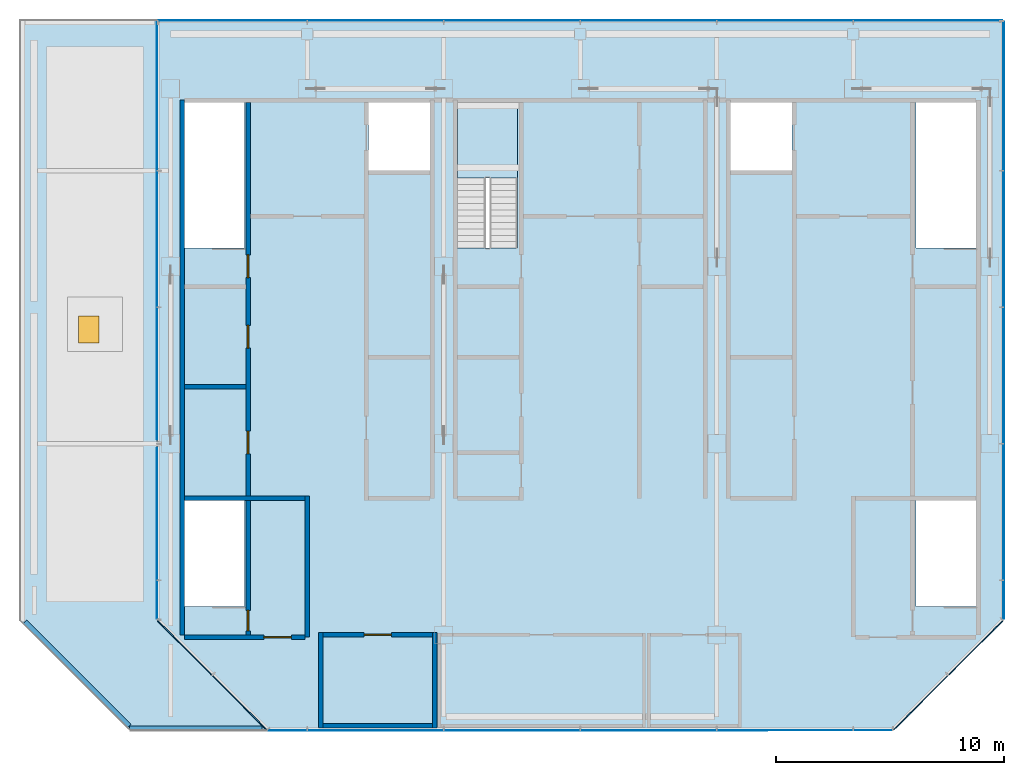
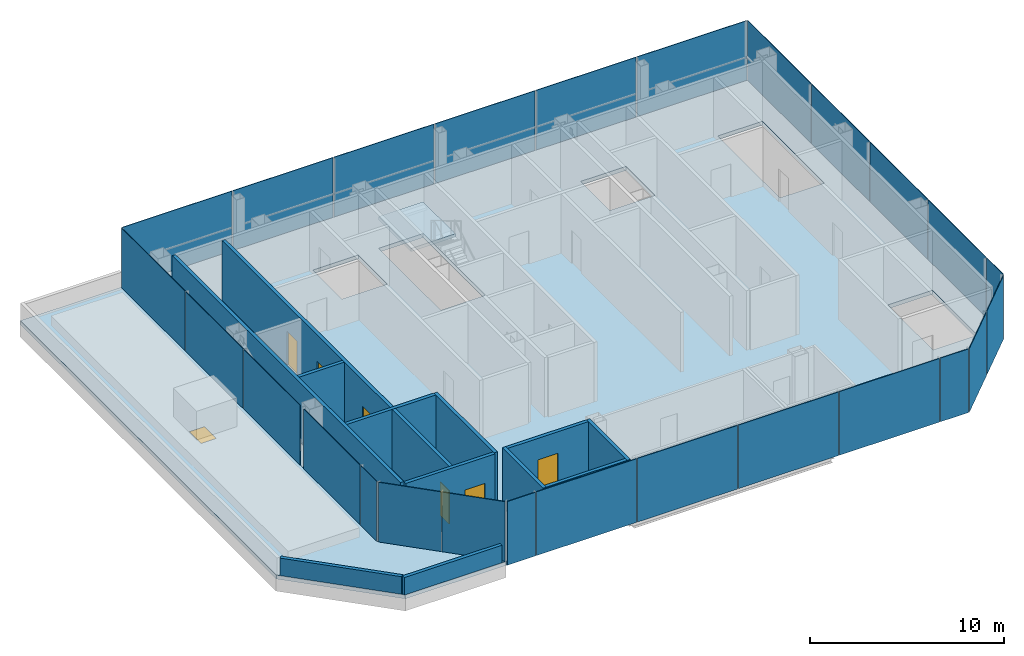
# One storey, part 8 of 12: 26 plates, 12 walls, 6 doors, 3 slabs, 1 window, 7 openings, 7 elements without a shape of their own.
"""IFC4 building model written with IfcOpenShell, lengths in metres."""

from ifc_helpers import new_model, si_unit, direction, frame, frame_2d, origin, origin_2d, place, context, subcontext, project, spatial, polyline, rectangle, outline, extrude, material, layer, layer_set, type_object, element, fill, aggregate, save


model = new_model("IFC4")

# Units and contexts
model_context = context("Model", 3, precision=1e-05, world=origin(), true_north=direction((0.0, 1.0)))
body_context = subcontext(model_context, "Body", "Model", "MODEL_VIEW")
ifc_project = project(units=[si_unit("LENGTHUNIT", "METRE"), si_unit("AREAUNIT", "SQUARE_METRE"), si_unit("VOLUMEUNIT", "CUBIC_METRE"), si_unit("PLANEANGLEUNIT", "RADIAN"), si_unit("MASSUNIT", "GRAM", prefix="KILO")], contexts=[model_context])

# Site, building, storey
site_placement = place(None, origin())
site = spatial("IfcSite", under=ifc_project, at=site_placement, CompositionType="ELEMENT")
building_placement = place(site_placement, origin())
building = spatial("IfcBuilding", under=site, at=building_placement, Name="Sorahane Residences", CompositionType="ELEMENT")
storey_placement = place(building_placement, frame((0.0, 0.0, 353.800048828125)))
storey = spatial("IfcBuildingStorey", under=building, at=storey_placement, Name="L84", CompositionType="ELEMENT", Elevation=353.800048828125)

# Slab
ifc_material_1 = material(Name="Concrete C35", Category="concrete")
ifc_layer_1 = layer(ifc_material_1, 0.25)
ifc_layer_set_1 = layer_set([ifc_layer_1], Name="Composite floor slab 250 mm Concrete C35")
slab_type_1 = type_object("IfcSlabType", Name="Composite floor slab 250 mm Concrete C35", PredefinedType="FLOOR", material=ifc_layer_set_1)
slab_1_placement = place(storey_placement, frame((0.0, 0.0, -0.25)))
element("IfcSlab", 1, at=slab_1_placement, inside=storey, type_object=slab_type_1, Name="Slab L84", PredefinedType="FLOOR", context=body_context, shape_type="SweptSolid", body=[
    extrude(outline(polyline([(10.25146484375, 17.39990234375), (5.39990234375, 22.25146484375), (5.39990234375, 48.60009765625), (42.60009765625, 48.60009765625), (42.60009765625, 22.25146484375), (37.74853515625, 17.39990234375), (10.25146484375, 17.39990234375)]), holes=[polyline([(30.60009765625, 42.0), (33.300048828125, 42.0), (33.300048828125, 45.0), (30.60009765625, 45.0), (30.60009765625, 42.0)]), polyline([(14.699951171875, 42.0), (17.39990234375, 42.0), (17.39990234375, 45.0), (14.699951171875, 45.0), (14.699951171875, 42.0)]), polyline([(9.25, 38.60009765625), (9.25, 45.0), (6.60009765625, 45.0), (6.60009765625, 38.60009765625), (9.25, 38.60009765625)]), polyline([(41.39990234375, 38.60009765625), (41.39990234375, 45.0), (38.75, 45.0), (38.75, 38.60009765625), (41.39990234375, 38.60009765625)]), polyline([(21.25, 38.60009765625), (21.25, 45.0), (18.60009765625, 45.0), (18.60009765625, 38.60009765625), (21.25, 38.60009765625)]), polyline([(9.25, 22.85009765625), (9.25, 27.5), (6.60009765625, 27.5), (6.60009765625, 22.85009765625), (9.25, 22.85009765625)]), polyline([(41.39990234375, 22.85009765625), (41.39990234375, 27.5), (38.75, 27.5), (38.75, 22.85009765625), (41.39990234375, 22.85009765625)])]), origin(), (0.0, 0.0, 1.0), 0.25),
])

# Curtain wall, plates
ifc_material_2 = material(Name="Dark low-e glass and black anodised aluminium", Category="aluminium")
curtain_wall_type = type_object("IfcCurtainWallType", Name="Curtain wall CW-6 Crown unitised wall", PredefinedType="NOTDEFINED", material=ifc_material_2)
curtain_wall_1_placement = place(storey_placement, origin())
curtain_wall_1 = element("IfcCurtainWall", 2, at=curtain_wall_1_placement, inside=storey, type_object=curtain_wall_type, Name="CW-6 curtain wall L84 S1", PredefinedType="NOTDEFINED")
ifc_material_3 = material(Name="Dark low-e glass with black ceramic frit", Category="glass")
ifc_layer_2 = layer(ifc_material_3, 0.0400390625)
ifc_layer_set_2 = layer_set([ifc_layer_2], Name="Curtain wall glass panel dark low-e crown with black frit spandrel band")
plate_type = type_object("IfcPlateType", Name="Curtain wall glass panel dark low-e crown with black frit spandrel band", PredefinedType="CURTAIN_PANEL", material=ifc_layer_set_2)
plate_1_placement = place(storey_placement, frame((11.13818359375, 17.39990234375, -0.25), z_axis=(0.0, 0.0, 1.0), x_axis=(1.0, 0.0, 0.0)))
plate_1 = element("IfcPlate", 3, at=plate_1_placement, type_object=plate_type, Name="CW-6 glass panel L84 S1.1", PredefinedType="CURTAIN_PANEL", context=body_context, shape_type="SweptSolid", body=[
    extrude(rectangle(XDim=1.673583984375, YDim=0.0400390625, at=origin_2d()), origin(), (0.0, 0.0, 1.0), 4.0),
])
plate_2_placement = place(storey_placement, frame((15.0, 17.39990234375, -0.25), z_axis=(0.0, 0.0, 1.0), x_axis=(1.0, 0.0, 0.0)))
plate_2 = element("IfcPlate", 4, at=plate_2_placement, type_object=plate_type, Name="CW-6 glass panel L84 S1.2", PredefinedType="CURTAIN_PANEL", context=body_context, shape_type="SweptSolid", body=[
    extrude(rectangle(XDim=5.949951171875, YDim=0.0400390625, at=origin_2d()), origin(), (0.0, 0.0, 1.0), 4.0),
])
plate_3_placement = place(storey_placement, frame((21.0, 17.39990234375, -0.25), z_axis=(0.0, 0.0, 1.0), x_axis=(1.0, 0.0, 0.0)))
plate_3 = element("IfcPlate", 5, at=plate_3_placement, type_object=plate_type, Name="CW-6 glass panel L84 S1.3", PredefinedType="CURTAIN_PANEL", context=body_context, shape_type="SweptSolid", body=[
    extrude(rectangle(XDim=5.949951171875, YDim=0.0400390625, at=origin_2d()), origin(), (0.0, 0.0, 1.0), 4.0),
])
plate_4_placement = place(storey_placement, frame((27.0, 17.39990234375, -0.25), z_axis=(0.0, 0.0, 1.0), x_axis=(1.0, 0.0, 0.0)))
plate_4 = element("IfcPlate", 6, at=plate_4_placement, type_object=plate_type, Name="CW-6 glass panel L84 S1.4", PredefinedType="CURTAIN_PANEL", context=body_context, shape_type="SweptSolid", body=[
    extrude(rectangle(XDim=5.949951171875, YDim=0.0400390625, at=origin_2d()), origin(), (0.0, 0.0, 1.0), 4.0),
])
plate_5_placement = place(storey_placement, frame((33.0, 17.39990234375, -0.25), z_axis=(0.0, 0.0, 1.0), x_axis=(1.0, 0.0, 0.0)))
plate_5 = element("IfcPlate", 7, at=plate_5_placement, type_object=plate_type, Name="CW-6 glass panel L84 S1.5", PredefinedType="CURTAIN_PANEL", context=body_context, shape_type="SweptSolid", body=[
    extrude(rectangle(XDim=5.949951171875, YDim=0.0400390625, at=origin_2d()), origin(), (0.0, 0.0, 1.0), 4.0),
])
plate_6_placement = place(storey_placement, frame((36.86181640625, 17.39990234375, -0.25), z_axis=(0.0, 0.0, 1.0), x_axis=(1.0, 0.0, 0.0)))
plate_6 = element("IfcPlate", 8, at=plate_6_placement, type_object=plate_type, Name="CW-6 glass panel L84 S1.6", PredefinedType="CURTAIN_PANEL", context=body_context, shape_type="SweptSolid", body=[
    extrude(rectangle(XDim=1.673583984375, YDim=0.0400390625, at=origin_2d()), origin(), (0.0, 0.0, 1.0), 4.0),
])
aggregate(curtain_wall_1, [plate_1, plate_2, plate_3, plate_4, plate_5, plate_6])

curtain_wall_2_placement = place(storey_placement, origin())
curtain_wall_2 = element("IfcCurtainWall", 9, at=curtain_wall_2_placement, inside=storey, type_object=curtain_wall_type, Name="CW-6 curtain wall L84 SE1", PredefinedType="NOTDEFINED")
plate_7_placement = place(storey_placement, frame((38.97021484375, 18.621826171875, -0.25), z_axis=(0.0, 0.0, 1.0), x_axis=(0.707106781187, 0.707106781187, 0.0)))
plate_7 = element("IfcPlate", 10, at=plate_7_placement, type_object=plate_type, Name="CW-6 glass panel L84 SE1.1", PredefinedType="CURTAIN_PANEL", context=body_context, shape_type="SweptSolid", body=[
    extrude(rectangle(XDim=3.35546875, YDim=0.0400390625, at=origin_2d()), origin(), (0.0, 0.0, 1.0), 4.0),
])
plate_8_placement = place(storey_placement, frame((41.378173828125, 21.02978515625, -0.25), z_axis=(0.0, 0.0, 1.0), x_axis=(0.707106781187, 0.707106781187, 0.0)))
plate_8 = element("IfcPlate", 11, at=plate_8_placement, type_object=plate_type, Name="CW-6 glass panel L84 SE1.2", PredefinedType="CURTAIN_PANEL", context=body_context, shape_type="SweptSolid", body=[
    extrude(rectangle(XDim=3.35546875, YDim=0.0400390625, at=origin_2d()), origin(), (0.0, 0.0, 1.0), 4.0),
])
aggregate(curtain_wall_2, [plate_7, plate_8])

curtain_wall_3_placement = place(storey_placement, origin())
curtain_wall_3 = element("IfcCurtainWall", 12, at=curtain_wall_3_placement, inside=storey, type_object=curtain_wall_type, Name="CW-6 curtain wall L84 E1", PredefinedType="NOTDEFINED")
plate_9_placement = place(storey_placement, frame((42.60009765625, 23.13818359375, -0.25), z_axis=(0.0, 0.0, 1.0), x_axis=(0.0, 1.0, 0.0)))
plate_9 = element("IfcPlate", 13, at=plate_9_placement, type_object=plate_type, Name="CW-6 glass panel L84 E1.1", PredefinedType="CURTAIN_PANEL", context=body_context, shape_type="SweptSolid", body=[
    extrude(rectangle(XDim=1.673583984375, YDim=0.0400390625, at=origin_2d()), origin(), (0.0, 0.0, 1.0), 4.0),
])
plate_10_placement = place(storey_placement, frame((42.60009765625, 27.0, -0.25), z_axis=(0.0, 0.0, 1.0), x_axis=(0.0, 1.0, 0.0)))
plate_10 = element("IfcPlate", 14, at=plate_10_placement, type_object=plate_type, Name="CW-6 glass panel L84 E1.2", PredefinedType="CURTAIN_PANEL", context=body_context, shape_type="SweptSolid", body=[
    extrude(rectangle(XDim=5.949951171875, YDim=0.0400390625, at=origin_2d()), origin(), (0.0, 0.0, 1.0), 4.0),
])
plate_11_placement = place(storey_placement, frame((42.60009765625, 33.0, -0.25), z_axis=(0.0, 0.0, 1.0), x_axis=(0.0, 1.0, 0.0)))
plate_11 = element("IfcPlate", 15, at=plate_11_placement, type_object=plate_type, Name="CW-6 glass panel L84 E1.3", PredefinedType="CURTAIN_PANEL", context=body_context, shape_type="SweptSolid", body=[
    extrude(rectangle(XDim=5.949951171875, YDim=0.0400390625, at=origin_2d()), origin(), (0.0, 0.0, 1.0), 4.0),
])
plate_12_placement = place(storey_placement, frame((42.60009765625, 39.0, -0.25), z_axis=(0.0, 0.0, 1.0), x_axis=(0.0, 1.0, 0.0)))
plate_12 = element("IfcPlate", 16, at=plate_12_placement, type_object=plate_type, Name="CW-6 glass panel L84 E1.4", PredefinedType="CURTAIN_PANEL", context=body_context, shape_type="SweptSolid", body=[
    extrude(rectangle(XDim=5.949951171875, YDim=0.0400390625, at=origin_2d()), origin(), (0.0, 0.0, 1.0), 4.0),
])
plate_13_placement = place(storey_placement, frame((42.60009765625, 45.28759765625, -0.25), z_axis=(0.0, 0.0, 1.0), x_axis=(0.0, 1.0, 0.0)))
plate_13 = element("IfcPlate", 17, at=plate_13_placement, type_object=plate_type, Name="CW-6 glass panel L84 E1.5", PredefinedType="CURTAIN_PANEL", context=body_context, shape_type="SweptSolid", body=[
    extrude(rectangle(XDim=6.52490234375, YDim=0.0400390625, at=origin_2d()), origin(), (0.0, 0.0, 1.0), 4.0),
])
aggregate(curtain_wall_3, [plate_9, plate_10, plate_11, plate_12, plate_13])

curtain_wall_4_placement = place(storey_placement, origin())
curtain_wall_4 = element("IfcCurtainWall", 18, at=curtain_wall_4_placement, inside=storey, type_object=curtain_wall_type, Name="CW-6 curtain wall L84 N1", PredefinedType="NOTDEFINED")
plate_14_placement = place(storey_placement, frame((39.28759765625, 48.60009765625, -0.25), z_axis=(0.0, 0.0, 1.0), x_axis=(-1.0, 0.0, 0.0)))
plate_14 = element("IfcPlate", 19, at=plate_14_placement, type_object=plate_type, Name="CW-6 glass panel L84 N1.1", PredefinedType="CURTAIN_PANEL", context=body_context, shape_type="SweptSolid", body=[
    extrude(rectangle(XDim=6.52490234375, YDim=0.0400390625, at=origin_2d()), origin(), (0.0, 0.0, 1.0), 4.0),
])
plate_15_placement = place(storey_placement, frame((33.0, 48.60009765625, -0.25), z_axis=(0.0, 0.0, 1.0), x_axis=(-1.0, 0.0, 0.0)))
plate_15 = element("IfcPlate", 20, at=plate_15_placement, type_object=plate_type, Name="CW-6 glass panel L84 N1.2", PredefinedType="CURTAIN_PANEL", context=body_context, shape_type="SweptSolid", body=[
    extrude(rectangle(XDim=5.949951171875, YDim=0.0400390625, at=origin_2d()), origin(), (0.0, 0.0, 1.0), 4.0),
])
plate_16_placement = place(storey_placement, frame((27.0, 48.60009765625, -0.25), z_axis=(0.0, 0.0, 1.0), x_axis=(-1.0, 0.0, 0.0)))
plate_16 = element("IfcPlate", 21, at=plate_16_placement, type_object=plate_type, Name="CW-6 glass panel L84 N1.3", PredefinedType="CURTAIN_PANEL", context=body_context, shape_type="SweptSolid", body=[
    extrude(rectangle(XDim=5.949951171875, YDim=0.0400390625, at=origin_2d()), origin(), (0.0, 0.0, 1.0), 4.0),
])
plate_17_placement = place(storey_placement, frame((21.0, 48.60009765625, -0.25), z_axis=(0.0, 0.0, 1.0), x_axis=(-1.0, 0.0, 0.0)))
plate_17 = element("IfcPlate", 22, at=plate_17_placement, type_object=plate_type, Name="CW-6 glass panel L84 N1.4", PredefinedType="CURTAIN_PANEL", context=body_context, shape_type="SweptSolid", body=[
    extrude(rectangle(XDim=5.949951171875, YDim=0.0400390625, at=origin_2d()), origin(), (0.0, 0.0, 1.0), 4.0),
])
plate_18_placement = place(storey_placement, frame((15.0, 48.60009765625, -0.25), z_axis=(0.0, 0.0, 1.0), x_axis=(-1.0, 0.0, 0.0)))
plate_18 = element("IfcPlate", 23, at=plate_18_placement, type_object=plate_type, Name="CW-6 glass panel L84 N1.5", PredefinedType="CURTAIN_PANEL", context=body_context, shape_type="SweptSolid", body=[
    extrude(rectangle(XDim=5.949951171875, YDim=0.0400390625, at=origin_2d()), origin(), (0.0, 0.0, 1.0), 4.0),
])
plate_19_placement = place(storey_placement, frame((8.71240234375, 48.60009765625, -0.25), z_axis=(0.0, 0.0, 1.0), x_axis=(-1.0, 0.0, 0.0)))
plate_19 = element("IfcPlate", 24, at=plate_19_placement, type_object=plate_type, Name="CW-6 glass panel L84 N1.6", PredefinedType="CURTAIN_PANEL", context=body_context, shape_type="SweptSolid", body=[
    extrude(rectangle(XDim=6.52490234375, YDim=0.0400390625, at=origin_2d()), origin(), (0.0, 0.0, 1.0), 4.0),
])
aggregate(curtain_wall_4, [plate_14, plate_15, plate_16, plate_17, plate_18, plate_19])

curtain_wall_5_placement = place(storey_placement, origin())
curtain_wall_5 = element("IfcCurtainWall", 25, at=curtain_wall_5_placement, inside=storey, type_object=curtain_wall_type, Name="CW-6 curtain wall L84 W1", PredefinedType="NOTDEFINED")
plate_20_placement = place(storey_placement, frame((5.39990234375, 45.28759765625, -0.25), z_axis=(0.0, 0.0, 1.0), x_axis=(0.0, -1.0, 0.0)))
plate_20 = element("IfcPlate", 26, at=plate_20_placement, type_object=plate_type, Name="CW-6 glass panel L84 W1.1", PredefinedType="CURTAIN_PANEL", context=body_context, shape_type="SweptSolid", body=[
    extrude(rectangle(XDim=6.52490234375, YDim=0.0400390625, at=origin_2d()), origin(), (0.0, 0.0, 1.0), 4.0),
])
plate_21_placement = place(storey_placement, frame((5.39990234375, 39.0, -0.25), z_axis=(0.0, 0.0, 1.0), x_axis=(0.0, -1.0, 0.0)))
plate_21 = element("IfcPlate", 27, at=plate_21_placement, type_object=plate_type, Name="CW-6 glass panel L84 W1.2", PredefinedType="CURTAIN_PANEL", context=body_context, shape_type="SweptSolid", body=[
    extrude(rectangle(XDim=5.949951171875, YDim=0.0400390625, at=origin_2d()), origin(), (0.0, 0.0, 1.0), 4.0),
])
plate_22_placement = place(storey_placement, frame((5.39990234375, 33.08740234375, -0.25), z_axis=(0.0, 0.0, 1.0), x_axis=(0.0, -1.0, 0.0)))
plate_22 = element("IfcPlate", 28, at=plate_22_placement, type_object=plate_type, Name="CW-6 glass panel L84 W1.3", PredefinedType="CURTAIN_PANEL", context=body_context, shape_type="SweptSolid", body=[
    extrude(rectangle(XDim=5.77490234375, YDim=0.0400390625, at=origin_2d()), origin(), (0.0, 0.0, 1.0), 4.0),
])
plate_23_placement = place(storey_placement, frame((5.39990234375, 26.91259765625, -0.25), z_axis=(0.0, 0.0, 1.0), x_axis=(0.0, -1.0, 0.0)))
plate_23 = element("IfcPlate", 29, at=plate_23_placement, type_object=plate_type, Name="CW-6 glass panel L84 W1.4", PredefinedType="CURTAIN_PANEL", context=body_context, shape_type="SweptSolid", body=[
    extrude(rectangle(XDim=5.77490234375, YDim=0.0400390625, at=origin_2d()), origin(), (0.0, 0.0, 1.0), 4.0),
])
plate_24_placement = place(storey_placement, frame((5.39990234375, 23.13818359375, -0.25), z_axis=(0.0, 0.0, 1.0), x_axis=(0.0, -1.0, 0.0)))
plate_24 = element("IfcPlate", 30, at=plate_24_placement, type_object=plate_type, Name="CW-6 glass panel L84 W1.5", PredefinedType="CURTAIN_PANEL", context=body_context, shape_type="SweptSolid", body=[
    extrude(rectangle(XDim=1.673583984375, YDim=0.0400390625, at=origin_2d()), origin(), (0.0, 0.0, 1.0), 4.0),
])
aggregate(curtain_wall_5, [plate_20, plate_21, plate_22, plate_23, plate_24])

curtain_wall_6_placement = place(storey_placement, origin())
curtain_wall_6 = element("IfcCurtainWall", 31, at=curtain_wall_6_placement, inside=storey, type_object=curtain_wall_type, Name="CW-6 curtain wall L84 SW1", PredefinedType="NOTDEFINED")
plate_25_placement = place(storey_placement, frame((6.621826171875, 21.02978515625, -0.25), z_axis=(0.0, 0.0, 1.0), x_axis=(0.707106781187, -0.707106781187, 0.0)))
plate_25 = element("IfcPlate", 32, at=plate_25_placement, type_object=plate_type, Name="CW-6 glass panel L84 SW1.1", PredefinedType="CURTAIN_PANEL", context=body_context, shape_type="SweptSolid", body=[
    extrude(rectangle(XDim=3.35546875, YDim=0.0400390625, at=origin_2d()), origin(), (0.0, 0.0, 1.0), 4.0),
])
plate_26_placement = place(storey_placement, frame((9.02978515625, 18.621826171875, -0.25), z_axis=(0.0, 0.0, 1.0), x_axis=(0.707106781187, -0.707106781187, 0.0)))
plate_26 = element("IfcPlate", 33, at=plate_26_placement, type_object=plate_type, Name="CW-6 glass panel L84 SW1.2", PredefinedType="CURTAIN_PANEL", context=body_context, shape_type="SweptSolid", body=[
    extrude(rectangle(XDim=3.35546875, YDim=0.0400390625, at=origin_2d()), origin(), (0.0, 0.0, 1.0), 4.0),
])
aggregate(curtain_wall_6, [plate_25, plate_26])

# Slab, opening, window
ifc_material_4 = material(Name="Concrete C35", Category="concrete")
ifc_layer_3 = layer(ifc_material_4, 0.25)
ifc_layer_set_3 = layer_set([ifc_layer_3], Name="Roof terrace slab Concrete C35 paved 250")
slab_type_2 = type_object("IfcSlabType", Name="Roof terrace slab Concrete C35 paved 250", PredefinedType="ROOF", material=ifc_layer_set_3)
slab_2_placement = place(storey_placement, frame((0.0, 0.0, -0.25)))
slab_2 = element("IfcSlab", 34, at=slab_2_placement, inside=storey, type_object=slab_type_2, Name="Garden roof slab L84.1", PredefinedType="ROOF", context=body_context, shape_type="SweptSolid", body=[
    extrude(outline(polyline([(-0.60009765625, 48.60009765625), (5.39990234375, 48.60009765625), (5.39990234375, 22.25146484375), (10.25146484375, 17.39990234375), (4.25146484375, 17.39990234375), (-0.60009765625, 22.25146484375), (-0.60009765625, 48.60009765625)])), origin(), (0.0, 0.0, 1.0), 0.25),
])
opening_1_placement = place(slab_2_placement, frame((2.39990234375, 35.01611328125, 0.0)))
opening_1 = element("IfcOpeningElement", 35, at=opening_1_placement, cuts=slab_2, Name="Opening RH-1", PredefinedType="OPENING", context=body_context, shape_type="SweptSolid", body=[
    extrude(rectangle(XDim=0.89990234375, YDim=1.199951171875, at=origin_2d()), frame((0.0, 0.0, -0.010009765625)), (0.0, 0.0, 1.0), 0.27001953125),
])
ifc_material_5 = material(Name="Aluminium and glass", Category="aluminium")
window_type = type_object("IfcWindowType", Name="ROOF ACCESS HATCH aluminium 900x1200", PartitioningType="SINGLE_PANEL", PredefinedType="SKYLIGHT", material=ifc_material_5)
window_placement = place(opening_1_placement, frame((0.0, 0.0, 0.199951171875)))
window = element("IfcWindow", 36, at=window_placement, inside=storey, type_object=window_type, Name="Roof access hatch L84.1", OverallHeight=1.199951171875, OverallWidth=0.89990234375, PartitioningType="SINGLE_PANEL", PredefinedType="SKYLIGHT", context=body_context, shape_type="SweptSolid", body=[
    extrude(rectangle(XDim=0.89990234375, YDim=1.199951171875, at=origin_2d()), origin(), (0.0, 0.0, 1.0), 0.050048828125),
])
fill(opening_1, window)

# Stair, slab
ifc_material_6 = material(Name="Concrete C40", Category="concrete")
stair_type = type_object("IfcStairType", Name="Dog-leg stair 1250 Concrete C40", PredefinedType="HALF_TURN_STAIR", material=ifc_material_6)
stair_placement = place(storey_placement, origin())
stair = element("IfcStair", 37, at=stair_placement, inside=storey, type_object=stair_type, Name="L84 Stair S3", PredefinedType="HALF_TURN_STAIR")
ifc_material_7 = material(Name="Concrete C40", Category="concrete")
ifc_layer_4 = layer(ifc_material_7, 0.199951171875)
ifc_layer_set_4 = layer_set([ifc_layer_4], Name="Stair landing 200 Concrete C40")
slab_type_3 = type_object("IfcSlabType", Name="Stair landing 200 Concrete C40", PredefinedType="LANDING", material=ifc_layer_set_4)
slab_3_placement = place(storey_placement, frame((0.0, 0.0, 1.800048828125)))
slab_3 = element("IfcSlab", 38, at=slab_3_placement, type_object=slab_type_3, Name="S3 landing 1", PredefinedType="LANDING", context=body_context, shape_type="SweptSolid", body=[
    extrude(outline(polyline([(21.25, 41.679931640625), (21.25, 45.0), (18.60009765625, 45.0), (18.60009765625, 41.679931640625), (21.25, 41.679931640625)])), origin(), (0.0, 0.0, 1.0), 0.199951171875),
])
aggregate(stair, [slab_3])

# Walls
ifc_material_8 = material(Name="Concrete C30", Category="concrete")
ifc_layer_5 = layer(ifc_material_8, 0.199951171875)
ifc_layer_set_5 = layer_set([ifc_layer_5], Name="Core face wall 200 EI 180")
wall_type_1 = type_object("IfcWallType", Name="Core face wall 200 EI 180", PredefinedType="SOLIDWALL", material=ifc_layer_set_5)
wall_1_placement = place(storey_placement, frame((6.5, 21.60009765625, 0.0), z_axis=(0.0, 0.0, 1.0), x_axis=(0.0, 1.0, 0.0)))
element("IfcWall", 39, at=wall_1_placement, inside=storey, type_object=wall_type_1, Name="L84 core face wall", PredefinedType="SOLIDWALL", context=body_context, shape_type="SweptSolid", body=[
    extrude(rectangle(XDim=23.5, YDim=0.199951171875, at=frame_2d((11.75, 0.0))), origin(), (0.0, 0.0, 1.0), 3.75),
])
ifc_material_9 = material(Name="Concrete C30", Category="concrete")
ifc_layer_6 = layer(ifc_material_9, 0.199951171875)
ifc_layer_set_6 = layer_set([ifc_layer_6], Name="Front room wall 200 EI 120")
wall_type_2 = type_object("IfcWallType", Name="Front room wall 200 EI 120", PredefinedType="PARTITIONING", material=ifc_layer_set_6)
wall_2_placement = place(storey_placement, frame((12.0, 21.5, 0.0), z_axis=(0.0, 0.0, 1.0), x_axis=(0.0, 1.0, 0.0)))
element("IfcWall", 40, at=wall_2_placement, inside=storey, type_object=wall_type_2, Name="L84 front room wall", PredefinedType="PARTITIONING", context=body_context, shape_type="SweptSolid", body=[
    extrude(rectangle(XDim=6.199951171875, YDim=0.199951171875, at=frame_2d((3.10009765625, 0.0))), origin(), (0.0, 0.0, 1.0), 3.75),
])
ifc_material_10 = material(Name="Concrete C35", Category="concrete")
ifc_layer_7 = layer(ifc_material_10, 0.199951171875)
ifc_layer_set_7 = layer_set([ifc_layer_7], Name="Parapet wall Concrete C35 200")
wall_type_3 = type_object("IfcWallType", Name="Parapet wall Concrete C35 200", PredefinedType="PARAPET", material=ifc_layer_set_7)
wall_3_placement = place(storey_placement, frame((10.010009765625, 17.5, 0.0), z_axis=(0.0, 0.0, 1.0), x_axis=(-1.0, 0.0, 0.0)))
element("IfcWall", 41, at=wall_3_placement, inside=storey, type_object=wall_type_3, Name="Roof parapet L84.1.1.1", PredefinedType="PARAPET", context=body_context, shape_type="SweptSolid", body=[
    extrude(rectangle(XDim=5.817138671875, YDim=0.199951171875, at=frame_2d((2.90869140625, 0.0))), origin(), (0.0, 0.0, 1.0), 1.099853515625),
])
wall_4_placement = place(storey_placement, frame((4.1904296875, 17.6025390625, 0.0), z_axis=(0.0, 0.0, 1.0), x_axis=(-0.707106781187, 0.707106781187, 0.0)))
element("IfcWall", 42, at=wall_4_placement, inside=storey, type_object=wall_type_3, Name="Roof parapet L84.1.1.2", PredefinedType="PARAPET", context=body_context, shape_type="SweptSolid", body=[
    extrude(rectangle(XDim=6.48828125, YDim=0.199951171875, at=frame_2d((3.244140625, 0.0))), origin(), (0.0, 0.0, 1.0), 1.099853515625),
])
ifc_material_11 = material(Name="Concrete blockwork C20 wall", Category="masonry")
ifc_layer_8 = layer(ifc_material_11, 0.199951171875)
ifc_layer_set_8 = layer_set([ifc_layer_8], Name="Plant wall 200 EI 120")
wall_type_4 = type_object("IfcWallType", Name="Plant wall 200 EI 120", PredefinedType="SOLIDWALL", material=ifc_layer_set_8)
for number, where, z_axis, x_axis, name in (
    (43, (12.60009765625, 17.5, 0.0), (0.0, 0.0, 1.0), (0.0, 1.0, 0.0), "L84 plant wall"),
    (44, (17.60009765625, 17.5, 0.0), (0.0, 0.0, 1.0), (0.0, 1.0, 0.0), "L84 plant wall"),
):
    element("IfcWall", number, at=place(storey_placement, frame(where, z_axis=z_axis, x_axis=x_axis)), inside=storey, type_object=wall_type_4, Name=name, PredefinedType="SOLIDWALL", context=body_context, shape_type="SweptSolid", body=[
        extrude(rectangle(XDim=4.199951171875, YDim=0.199951171875, at=frame_2d((2.10009765625, 0.0))), origin(), (0.0, 0.0, 1.0), 3.75),
    ])
wall_5_placement = place(storey_placement, frame((12.699951171875, 17.60009765625, 0.0), z_axis=(0.0, 0.0, 1.0), x_axis=(1.0, 0.0, 0.0)))
element("IfcWall", 45, at=wall_5_placement, inside=storey, type_object=wall_type_4, Name="L84 plant wall", PredefinedType="SOLIDWALL", context=body_context, shape_type="SweptSolid", body=[
    extrude(rectangle(XDim=4.800048828125, YDim=0.199951171875, at=frame_2d((2.39990234375, 0.0))), origin(), (0.0, 0.0, 1.0), 3.75),
])

# Wall, opening, door
wall_6_placement = place(storey_placement, frame((12.699951171875, 21.60009765625, 0.0), z_axis=(0.0, 0.0, 1.0), x_axis=(1.0, 0.0, 0.0)))
wall_6 = element("IfcWall", 46, at=wall_6_placement, inside=storey, type_object=wall_type_4, Name="L84 plant wall", PredefinedType="SOLIDWALL", context=body_context, shape_type="SweptSolid", body=[
    extrude(rectangle(XDim=4.800048828125, YDim=0.199951171875, at=frame_2d((2.39990234375, 0.0))), origin(), (0.0, 0.0, 1.0), 3.75),
])
opening_2_placement = place(wall_6_placement, frame((1.800048828125, 0.0, 0.0)))
opening_2 = element("IfcOpeningElement", 47, at=opening_2_placement, cuts=wall_6, Name="Opening L84-01", PredefinedType="OPENING", context=body_context, shape_type="SweptSolid", body=[
    extrude(rectangle(XDim=1.199951171875, YDim=2.39990234375, at=frame_2d((0.60009765625, 1.199951171875))), frame((0.0, 0.10986328125, 0.0), z_axis=(0.0, -1.0, 0.0), x_axis=(1.0, 0.0, 0.0)), (0.0, 0.0, 1.0), 0.219970703125),
])
ifc_material_12 = material(Name="Steel", Category="steel")
door_type_1 = type_object("IfcDoorType", Name="Plant door 1200x2400 FD60", OperationType="NOTDEFINED", PredefinedType="DOOR", material=ifc_material_12)
door_1_placement = place(opening_2_placement, origin())
door_1 = element("IfcDoor", 48, at=door_1_placement, inside=storey, type_object=door_type_1, Name="Plant door L84-01", OperationType="SINGLE_SWING_LEFT", OverallHeight=2.39990234375, OverallWidth=1.199951171875, PredefinedType="DOOR", context=body_context, shape_type="SweptSolid", body=[
    extrude(rectangle(XDim=1.199951171875, YDim=2.39990234375, at=frame_2d((0.60009765625, 1.199951171875))), frame((0.0, 0.02490234375, 0.0), z_axis=(0.0, -1.0, 0.0), x_axis=(1.0, 0.0, 0.0)), (0.0, 0.0, 1.0), 0.050048828125),
])
fill(opening_2, door_1)

# Wall
ifc_material_13 = material(Name="Concrete C30", Category="concrete")
ifc_layer_9 = layer(ifc_material_13, 0.199951171875)
ifc_layer_set_9 = layer_set([ifc_layer_9], Name="Service room partition 200 EI 60")
wall_type_5 = type_object("IfcWallType", Name="Service room partition 200 EI 60", PredefinedType="PARTITIONING", material=ifc_layer_set_9)
wall_7_placement = place(storey_placement, frame((6.60009765625, 32.5, 0.0), z_axis=(0.0, 0.0, 1.0), x_axis=(1.0, 0.0, 0.0)))
element("IfcWall", 49, at=wall_7_placement, inside=storey, type_object=wall_type_5, Name="L84 service room wall", PredefinedType="PARTITIONING", context=body_context, shape_type="SweptSolid", body=[
    extrude(rectangle(XDim=2.699951171875, YDim=0.199951171875, at=frame_2d((1.35009765625, 0.0))), origin(), (0.0, 0.0, 1.0), 3.75),
])

# Wall, openings, doors
ifc_material_14 = material(Name="Concrete C30", Category="concrete")
ifc_layer_10 = layer(ifc_material_14, 0.199951171875)
ifc_layer_set_10 = layer_set([ifc_layer_10], Name="Stair enclosure wall 200 EI 120")
wall_type_6 = type_object("IfcWallType", Name="Stair enclosure wall 200 EI 120", PredefinedType="SOLIDWALL", material=ifc_layer_set_10)
wall_8_placement = place(storey_placement, frame((9.39990234375, 21.5, 0.0), z_axis=(0.0, 0.0, 1.0), x_axis=(0.0, 1.0, 0.0)))
wall_8 = element("IfcWall", 50, at=wall_8_placement, inside=storey, type_object=wall_type_6, Name="L84 stair enclosure wall", PredefinedType="SOLIDWALL", context=body_context, shape_type="SweptSolid", body=[
    extrude(rectangle(XDim=23.5, YDim=0.199951171875, at=frame_2d((11.75, 0.0))), origin(), (0.0, 0.0, 1.0), 3.75),
])
opening_3_placement = place(wall_8_placement, frame((8.050048828125, 0.0, 0.0)))
opening_3 = element("IfcOpeningElement", 51, at=opening_3_placement, cuts=wall_8, Name="Opening L84-C13", PredefinedType="OPENING", context=body_context, shape_type="SweptSolid", body=[
    extrude(rectangle(XDim=1.0, YDim=2.10009765625, at=frame_2d((0.5, 1.050048828125))), frame((0.0, 0.10986328125, 0.0), z_axis=(0.0, -1.0, 0.0), x_axis=(1.0, 0.0, 0.0)), (0.0, 0.0, 1.0), 0.219970703125),
])
opening_4_placement = place(wall_8_placement, frame((12.699951171875, 0.0, 0.0)))
opening_4 = element("IfcOpeningElement", 52, at=opening_4_placement, cuts=wall_8, Name="Opening L84-C14", PredefinedType="OPENING", context=body_context, shape_type="SweptSolid", body=[
    extrude(rectangle(XDim=1.0, YDim=2.10009765625, at=frame_2d((0.5, 1.050048828125))), frame((0.0, 0.10986328125, 0.0), z_axis=(0.0, -1.0, 0.0), x_axis=(1.0, 0.0, 0.0)), (0.0, 0.0, 1.0), 0.219970703125),
])
opening_5_placement = place(wall_8_placement, frame((15.800048828125, 0.0, 0.0)))
opening_5 = element("IfcOpeningElement", 53, at=opening_5_placement, cuts=wall_8, Name="Opening L84-C15", PredefinedType="OPENING", context=body_context, shape_type="SweptSolid", body=[
    extrude(rectangle(XDim=1.0, YDim=2.10009765625, at=frame_2d((0.5, 1.050048828125))), frame((0.0, 0.10986328125, 0.0), z_axis=(0.0, -1.0, 0.0), x_axis=(1.0, 0.0, 0.0)), (0.0, 0.0, 1.0), 0.219970703125),
])
opening_6_placement = place(wall_8_placement, frame((0.27490234375, 0.0, 0.0)))
opening_6 = element("IfcOpeningElement", 54, at=opening_6_placement, cuts=wall_8, Name="Opening L84-C18", PredefinedType="OPENING", context=body_context, shape_type="SweptSolid", body=[
    extrude(rectangle(XDim=0.89990234375, YDim=2.10009765625, at=frame_2d((0.449951171875, 1.050048828125))), frame((0.0, 0.10986328125, 0.0), z_axis=(0.0, -1.0, 0.0), x_axis=(1.0, 0.0, 0.0)), (0.0, 0.0, 1.0), 0.219970703125),
])
ifc_material_15 = material(Name="Steel", Category="steel")
door_type_2 = type_object("IfcDoorType", Name="Service room door 1000x2100 FD60", OperationType="NOTDEFINED", PredefinedType="DOOR", material=ifc_material_15)
door_2_placement = place(opening_3_placement, origin())
door_2 = element("IfcDoor", 55, at=door_2_placement, inside=storey, type_object=door_type_2, Name="Service room door Gift store L84", OperationType="SINGLE_SWING_LEFT", OverallHeight=2.10009765625, OverallWidth=1.0, PredefinedType="DOOR", context=body_context, shape_type="SweptSolid", body=[
    extrude(rectangle(XDim=1.0, YDim=2.10009765625, at=frame_2d((0.5, 1.050048828125))), frame((0.0, 0.02490234375, 0.0), z_axis=(0.0, -1.0, 0.0), x_axis=(1.0, 0.0, 0.0)), (0.0, 0.0, 1.0), 0.050048828125),
])
fill(opening_3, door_2)
door_3_placement = place(opening_4_placement, origin())
door_3 = element("IfcDoor", 56, at=door_3_placement, inside=storey, type_object=door_type_2, Name="Service room door Cinema room L84", OperationType="SINGLE_SWING_RIGHT", OverallHeight=2.10009765625, OverallWidth=1.0, PredefinedType="DOOR", context=body_context, shape_type="SweptSolid", body=[
    extrude(rectangle(XDim=1.0, YDim=2.10009765625, at=frame_2d((0.5, 1.050048828125))), frame((0.0, 0.02490234375, 0.0), z_axis=(0.0, -1.0, 0.0), x_axis=(1.0, 0.0, 0.0)), (0.0, 0.0, 1.0), 0.050048828125),
])
fill(opening_4, door_3)
ifc_material_16 = material(Name="Steel", Category="steel")
door_type_3 = type_object("IfcDoorType", Name="Stair door 1000x2100 FD120", OperationType="NOTDEFINED", PredefinedType="DOOR", material=ifc_material_16)
door_4_placement = place(opening_5_placement, origin())
door_4 = element("IfcDoor", 57, at=door_4_placement, inside=storey, type_object=door_type_3, Name="Stair door S1 L84", OperationType="SINGLE_SWING_LEFT", OverallHeight=2.10009765625, OverallWidth=1.0, PredefinedType="DOOR", context=body_context, shape_type="SweptSolid", body=[
    extrude(rectangle(XDim=1.0, YDim=2.10009765625, at=frame_2d((0.5, 1.050048828125))), frame((0.0, 0.02490234375, 0.0), z_axis=(0.0, -1.0, 0.0), x_axis=(1.0, 0.0, 0.0)), (0.0, 0.0, 1.0), 0.050048828125),
])
fill(opening_5, door_4)
ifc_material_17 = material(Name="Steel", Category="steel")
door_type_4 = type_object("IfcDoorType", Name="Stair door 900x2100 FD120", OperationType="NOTDEFINED", PredefinedType="DOOR", material=ifc_material_17)
door_5_placement = place(opening_6_placement, origin())
door_5 = element("IfcDoor", 58, at=door_5_placement, inside=storey, type_object=door_type_4, Name="Stair door S4 L84", OperationType="SINGLE_SWING_LEFT", OverallHeight=2.10009765625, OverallWidth=0.89990234375, PredefinedType="DOOR", context=body_context, shape_type="SweptSolid", body=[
    extrude(rectangle(XDim=0.89990234375, YDim=2.10009765625, at=frame_2d((0.449951171875, 1.050048828125))), frame((0.0, 0.02490234375, 0.0), z_axis=(0.0, -1.0, 0.0), x_axis=(1.0, 0.0, 0.0)), (0.0, 0.0, 1.0), 0.050048828125),
])
fill(opening_6, door_5)

# Wall, opening, door
wall_9_placement = place(storey_placement, frame((6.60009765625, 21.5, 0.0), z_axis=(0.0, 0.0, 1.0), x_axis=(1.0, 0.0, 0.0)))
wall_9 = element("IfcWall", 59, at=wall_9_placement, inside=storey, type_object=wall_type_6, Name="L84 stair enclosure wall", PredefinedType="SOLIDWALL", context=body_context, shape_type="SweptSolid", body=[
    extrude(rectangle(XDim=5.2998046875, YDim=0.199951171875, at=frame_2d((2.64990234375, 0.0))), origin(), (0.0, 0.0, 1.0), 3.75),
])
opening_7_placement = place(wall_9_placement, frame((3.5, 0.0, 0.0)))
opening_7 = element("IfcOpeningElement", 60, at=opening_7_placement, cuts=wall_9, Name="Opening L84-C01", PredefinedType="OPENING", context=body_context, shape_type="SweptSolid", body=[
    extrude(rectangle(XDim=1.199951171875, YDim=2.10009765625, at=frame_2d((0.60009765625, 1.050048828125))), frame((0.0, 0.10986328125, 0.0), z_axis=(0.0, -1.0, 0.0), x_axis=(1.0, 0.0, 0.0)), (0.0, 0.0, 1.0), 0.219970703125),
])
ifc_material_18 = material(Name="Steel", Category="steel")
door_type_5 = type_object("IfcDoorType", Name="Stair front room door 1200x2100 FD120", OperationType="NOTDEFINED", PredefinedType="DOOR", material=ifc_material_18)
door_6_placement = place(opening_7_placement, frame((1.199951171875, 0.0, 0.0), z_axis=(0.0, 0.0, 1.0), x_axis=(-1.0, 0.0, 0.0)))
door_6 = element("IfcDoor", 61, at=door_6_placement, inside=storey, type_object=door_type_5, Name="Stair front room door Stair S4 front room L84", OperationType="SINGLE_SWING_RIGHT", OverallHeight=2.10009765625, OverallWidth=1.199951171875, PredefinedType="DOOR", context=body_context, shape_type="SweptSolid", body=[
    extrude(rectangle(XDim=1.199951171875, YDim=2.10009765625, at=frame_2d((0.60009765625, 1.050048828125))), frame((0.0, 0.02490234375, 0.0), z_axis=(0.0, -1.0, 0.0), x_axis=(1.0, 0.0, 0.0)), (0.0, 0.0, 1.0), 0.050048828125),
])
fill(opening_7, door_6)

# Wall
wall_10_placement = place(storey_placement, frame((6.60009765625, 27.60009765625, 0.0), z_axis=(0.0, 0.0, 1.0), x_axis=(1.0, 0.0, 0.0)))
element("IfcWall", 62, at=wall_10_placement, inside=storey, type_object=wall_type_6, Name="L84 stair enclosure wall", PredefinedType="SOLIDWALL", context=body_context, shape_type="SweptSolid", body=[
    extrude(rectangle(XDim=5.2998046875, YDim=0.199951171875, at=frame_2d((2.64990234375, 0.0))), origin(), (0.0, 0.0, 1.0), 3.75),
])

save(model, "model.ifc")
